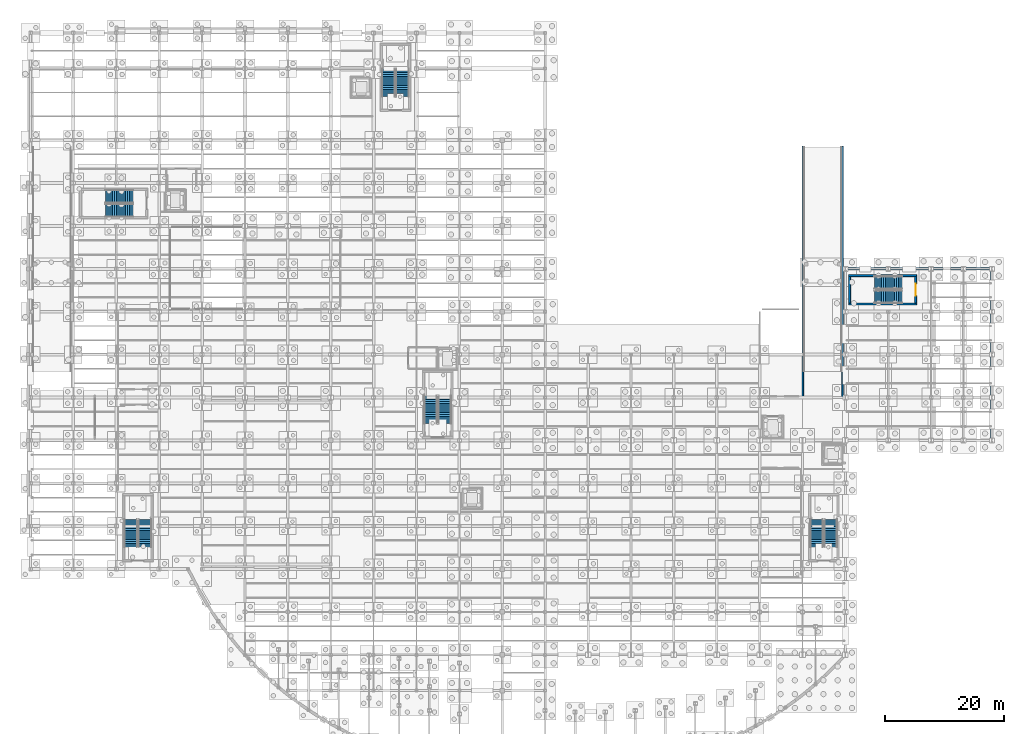
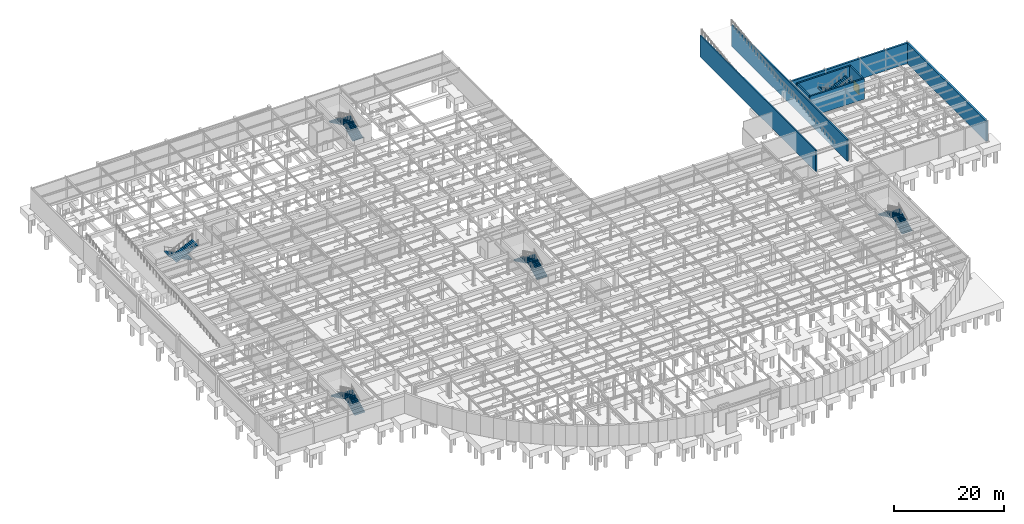
# One storey, part 51 of 64: 12 stair flights, 8 walls, 1 door, 1 opening, 6 elements without a shape of their own.
"""IFC4 building model written with IfcOpenShell, lengths in metres."""

from ifc_helpers import new_model, si_unit, direction, frame, frame_2d, origin, place, context, subcontext, project, spatial, polyline, rectangle, outline, extrude, material, layer, layer_set, type_object, element, fill, aggregate, save


model = new_model("IFC4")

# Units and contexts
model_context = context("Model", 3, precision=1e-05, world=origin(), true_north=direction((0.0, 1.0)))
body_context = subcontext(model_context, "Body", "Model", "MODEL_VIEW")
ifc_project = project(units=[si_unit("LENGTHUNIT", "METRE"), si_unit("AREAUNIT", "SQUARE_METRE"), si_unit("VOLUMEUNIT", "CUBIC_METRE"), si_unit("PLANEANGLEUNIT", "RADIAN"), si_unit("MASSUNIT", "GRAM", prefix="KILO")], contexts=[model_context])

# Site, building, storey
site_placement = place(None, origin())
site = spatial("IfcSite", under=ifc_project, at=site_placement, CompositionType="ELEMENT")
building_placement = place(site_placement, origin())
building = spatial("IfcBuilding", under=site, at=building_placement, Name="Solvadek Multi-Sports Hall", CompositionType="ELEMENT")
storey_placement = place(building_placement, frame((0.0, 0.0, -4.800048828125)))
storey = spatial("IfcBuildingStorey", under=building, at=storey_placement, Name="B1", CompositionType="ELEMENT", Elevation=-4.800048828125)

# Walls
ifc_material_1 = material(Name="Concrete M40", Category="concrete")
ifc_layer_1 = layer(ifc_material_1, 0.39990234375, Name="Concrete M40")
ifc_layer_set_1 = layer_set([ifc_layer_1], Name="Concrete M40")
wall_type_1 = type_object("IfcWallType", Name="ENV-WAL-RET400", PredefinedType="USERDEFINED", material=ifc_layer_set_1)
wall_1_placement = place(storey_placement, frame((161.39990234375, 42.0, 0.0), z_axis=(0.0, 0.0, 1.0), x_axis=(0.0, 1.0, 0.0)))
element("IfcWall", 1, at=wall_1_placement, inside=storey, type_object=wall_type_1, Name="B1 Basement Retaining Wall #64", ObjectType="RETAININGWALL", PredefinedType="USERDEFINED", context=body_context, shape_type="SweptSolid", body=[
    extrude(rectangle(XDim=28.800048828125, YDim=0.39990234375, at=frame_2d((14.39990234375, 0.0))), origin(), (0.0, 0.0, 1.0), 4.550048828125),
])
wall_2_placement = place(storey_placement, frame((161.39990234375, 70.800048828125, 0.0), z_axis=(0.0, 0.0, 1.0), x_axis=(-1.0, 0.0, 0.0)))
element("IfcWall", 2, at=wall_2_placement, inside=storey, type_object=wall_type_1, Name="B1 Basement Retaining Wall #65", ObjectType="RETAININGWALL", PredefinedType="USERDEFINED", context=body_context, shape_type="SweptSolid", body=[
    extrude(rectangle(XDim=24.599853515625, YDim=0.39990234375, at=frame_2d((12.2998046875, 0.0))), origin(), (0.0, 0.0, 1.0), 4.550048828125),
])
ifc_layer_2 = layer(ifc_material_1, 0.260009765625, Name="Concrete M40")
ifc_layer_set_2 = layer_set([ifc_layer_2], Name="Concrete M40")
wall_type_2 = type_object("IfcWallType", Name="INT-WAL-SHR260", PredefinedType="SHEAR", material=ifc_layer_set_2)
for number, where, z_axis, x_axis, name in (
    (3, (129.669921875, 49.199951171875, 0.0), (0.0, 0.0, 1.0), (0.0, 1.0, 0.0), "B1 VR-02 Ramp Side Shear Wall W"),
    (4, (136.330078125, 49.199951171875, 0.0), (0.0, 0.0, 1.0), (0.0, 1.0, 0.0), "B1 VR-02 Ramp Side Shear Wall E"),
):
    element("IfcWall", number, at=place(storey_placement, frame(where, z_axis=z_axis, x_axis=x_axis)), inside=storey, type_object=wall_type_2, Name=name, PredefinedType="SHEAR", context=body_context, shape_type="SweptSolid", body=[
        extrude(rectangle(XDim=42.150146484375, YDim=0.260009765625, at=frame_2d((21.0751953125, 0.0))), origin(), (0.0, 0.0, 1.0), 4.780029296875),
    ])
ifc_layer_3 = layer(ifc_material_1, 0.320068359375, Name="Concrete M40")
ifc_layer_set_3 = layer_set([ifc_layer_3], Name="Concrete M40")
wall_type_3 = type_object("IfcWallType", Name="INT-WAL-SHR320", PredefinedType="SHEAR", material=ifc_layer_set_3)
for number, where, z_axis, x_axis, name in (
    (5, (137.340087890625, 64.89990234375, 0.0), (0.0, 0.0, 1.0), (1.0, 0.0, 0.0), "B1 Stair ST-06 Shear Wall S"),
    (6, (137.340087890625, 69.64990234375, 0.0), (0.0, 0.0, 1.0), (1.0, 0.0, 0.0), "B1 Stair ST-06 Shear Wall N"),
):
    element("IfcWall", number, at=place(storey_placement, frame(where, z_axis=z_axis, x_axis=x_axis)), inside=storey, type_object=wall_type_3, Name=name, PredefinedType="SHEAR", context=body_context, shape_type="SweptSolid", body=[
        extrude(rectangle(XDim=11.419921875, YDim=0.320068359375, at=frame_2d((5.7099609375, 0.0))), origin(), (0.0, 0.0, 1.0), 4.550048828125),
    ])
wall_3_placement = place(storey_placement, frame((137.5, 65.06005859375, 0.0), z_axis=(0.0, 0.0, 1.0), x_axis=(0.0, 1.0, 0.0)))
element("IfcWall", 7, at=wall_3_placement, inside=storey, type_object=wall_type_3, Name="B1 Stair ST-06 Shear Wall W", PredefinedType="SHEAR", context=body_context, shape_type="SweptSolid", body=[
    extrude(rectangle(XDim=4.429931640625, YDim=0.320068359375, at=frame_2d((2.21484375, 0.0))), origin(), (0.0, 0.0, 1.0), 4.550048828125),
])

# Wall, opening, door
wall_4_placement = place(storey_placement, frame((148.60009765625, 65.06005859375, 0.0), z_axis=(0.0, 0.0, 1.0), x_axis=(0.0, 1.0, 0.0)))
wall_4 = element("IfcWall", 8, at=wall_4_placement, inside=storey, type_object=wall_type_3, Name="B1 Stair ST-06 Shear Wall E", PredefinedType="SHEAR", context=body_context, shape_type="SweptSolid", body=[
    extrude(rectangle(XDim=4.429931640625, YDim=0.320068359375, at=frame_2d((2.21484375, 0.0))), origin(), (0.0, 0.0, 1.0), 4.550048828125),
])
opening_placement = place(wall_4_placement, frame((1.215087890625, 0.0, 0.0)))
opening = element("IfcOpeningElement", 9, at=opening_placement, cuts=wall_4, Name="Opening FD120", PredefinedType="OPENING", context=body_context, shape_type="SweptSolid", body=[
    extrude(rectangle(XDim=2.0, YDim=2.14990234375, at=frame_2d((1.0, 1.074951171875))), frame((0.0, 0.169921875, 0.0), z_axis=(0.0, -1.0, 0.0), x_axis=(1.0, 0.0, 0.0)), (0.0, 0.0, 1.0), 0.340087890625),
])
ifc_material_2 = material(Name="Steel E250 (250 MPa)", Category="steel")
door_type = type_object("IfcDoorType", Name="INT-DOR-FD200X215", OperationType="DOUBLE_DOOR_SINGLE_SWING", PredefinedType="DOOR", material=ifc_material_2)
door_placement = place(opening_placement, origin())
door = element("IfcDoor", 10, at=door_placement, inside=storey, type_object=door_type, Name="B1 Stair ST-06 Fire Door", OperationType="DOUBLE_DOOR_SINGLE_SWING", OverallHeight=2.14990234375, OverallWidth=2.0, PredefinedType="DOOR", context=body_context, shape_type="SweptSolid", body=[
    extrude(rectangle(XDim=2.0, YDim=2.14990234375, at=frame_2d((1.0, 1.074951171875))), frame((0.0, 0.02490234375, 0.0), z_axis=(0.0, -1.0, 0.0), x_axis=(1.0, 0.0, 0.0)), (0.0, 0.0, 1.0), 0.050048828125),
])
fill(opening, door)

# Stair, stair flights
ifc_material_3 = material(Name="Concrete M35", Category="concrete")
stair_type = type_object("IfcStairType", Name="INT-STR-DOG220", PredefinedType="USERDEFINED", material=ifc_material_3)
stair_1_placement = place(storey_placement, origin())
stair_1 = element("IfcStair", 11, at=stair_1_placement, inside=storey, type_object=stair_type, Name="B1 Exit Stair Core ST-01 (SW Crescent)", ObjectType="TWO_RUN_STAIR", PredefinedType="USERDEFINED")
stair_flight_type = type_object("IfcStairFlightType", Name="INT-FLT-RC220", PredefinedType="STRAIGHT", material=ifc_material_3)
stair_flight_1_placement = place(storey_placement, frame((19.199951171875, 24.10009765625, 0.0), z_axis=(0.0, 0.0, 1.0), x_axis=(0.0, 1.0, 0.0)))
stair_flight_1 = element("IfcStairFlight", 12, at=stair_flight_1_placement, type_object=stair_flight_type, Name="ST-01 flight 1", NumberOfRisers=16, NumberOfTreads=15, PredefinedType="STRAIGHT", RiserHeight=0.15, TreadLength=0.31, context=body_context, shape_type="SweptSolid", body=[
    extrude(outline(polyline([(0.0, 0.0), (0.0, 0.14990234375), (0.31005859375, 0.14990234375), (0.31005859375, 0.300048828125), (0.6201171875, 0.300048828125), (0.6201171875, 0.449951171875), (0.929931640625, 0.449951171875), (0.929931640625, 0.60009765625), (1.239990234375, 0.60009765625), (1.239990234375, 0.75), (1.550048828125, 0.75), (1.550048828125, 0.89990234375), (1.860107421875, 0.89990234375), (1.860107421875, 1.050048828125), (2.169921875, 1.050048828125), (2.169921875, 1.199951171875), (2.47998046875, 1.199951171875), (2.47998046875, 1.35009765625), (2.7900390625, 1.35009765625), (2.7900390625, 1.5), (3.10009765625, 1.5), (3.10009765625, 1.64990234375), (3.409912109375, 1.64990234375), (3.409912109375, 1.800048828125), (3.719970703125, 1.800048828125), (3.719970703125, 1.949951171875), (4.030029296875, 1.949951171875), (4.030029296875, 2.10009765625), (4.340087890625, 2.10009765625), (4.340087890625, 2.25), (4.64990234375, 2.25), (4.64990234375, 2.39990234375), (4.64990234375, 2.08349609375), (0.34423828125, 0.0), (0.0, 0.0)])), frame((0.0, 1.10009765625, 0.0), z_axis=(0.0, -1.0, 0.0), x_axis=(1.0, 0.0, 0.0)), (0.0, 0.0, 1.0), 2.199951171875),
])
stair_flight_2_placement = place(storey_placement, frame((16.85009765625, 28.75, 2.400146484375), z_axis=(0.0, 0.0, 1.0), x_axis=(0.0, -1.0, 0.0)))
stair_flight_2 = element("IfcStairFlight", 13, at=stair_flight_2_placement, type_object=stair_flight_type, Name="ST-01 flight 2", NumberOfRisers=16, NumberOfTreads=15, PredefinedType="STRAIGHT", RiserHeight=0.15, TreadLength=0.31, context=body_context, shape_type="SweptSolid", body=[
    extrude(outline(polyline([(0.0, 0.0), (0.0, 0.14990234375), (0.31005859375, 0.14990234375), (0.31005859375, 0.300048828125), (0.6201171875, 0.300048828125), (0.6201171875, 0.449951171875), (0.929931640625, 0.449951171875), (0.929931640625, 0.60009765625), (1.239990234375, 0.60009765625), (1.239990234375, 0.75), (1.550048828125, 0.75), (1.550048828125, 0.89990234375), (1.860107421875, 0.89990234375), (1.860107421875, 1.050048828125), (2.169921875, 1.050048828125), (2.169921875, 1.199951171875), (2.47998046875, 1.199951171875), (2.47998046875, 1.35009765625), (2.7900390625, 1.35009765625), (2.7900390625, 1.5), (3.10009765625, 1.5), (3.10009765625, 1.64990234375), (3.409912109375, 1.64990234375), (3.409912109375, 1.800048828125), (3.719970703125, 1.800048828125), (3.719970703125, 1.949951171875), (4.030029296875, 1.949951171875), (4.030029296875, 2.10009765625), (4.340087890625, 2.10009765625), (4.340087890625, 2.25), (4.64990234375, 2.25), (4.64990234375, 2.39990234375), (4.64990234375, 2.08349609375), (0.34423828125, 0.0), (0.0, 0.0)])), frame((0.0, 1.10009765625, 0.0), z_axis=(0.0, -1.0, 0.0), x_axis=(1.0, 0.0, 0.0)), (0.0, 0.0, 1.0), 2.199951171875),
])
aggregate(stair_1, [stair_flight_1, stair_flight_2])

stair_2_placement = place(storey_placement, origin())
stair_2 = element("IfcStair", 14, at=stair_2_placement, inside=storey, type_object=stair_type, Name="B1 Exit Stair Core ST-02 (NW Track Headhouse)", ObjectType="TWO_RUN_STAIR", PredefinedType="USERDEFINED")
stair_flight_3_placement = place(storey_placement, frame((17.199951171875, 82.949951171875, 0.0), z_axis=(0.0, 0.0, 1.0), x_axis=(-1.0, 0.0, 0.0)))
stair_flight_3 = element("IfcStairFlight", 15, at=stair_flight_3_placement, type_object=stair_flight_type, Name="ST-02 flight 1", NumberOfRisers=16, NumberOfTreads=15, PredefinedType="STRAIGHT", RiserHeight=0.15, TreadLength=0.31, context=body_context, shape_type="SweptSolid", body=[
    extrude(outline(polyline([(0.0, 0.0), (0.0, 0.14990234375), (0.31005859375, 0.14990234375), (0.31005859375, 0.300048828125), (0.6201171875, 0.300048828125), (0.6201171875, 0.449951171875), (0.929931640625, 0.449951171875), (0.929931640625, 0.60009765625), (1.239990234375, 0.60009765625), (1.239990234375, 0.75), (1.550048828125, 0.75), (1.550048828125, 0.89990234375), (1.860107421875, 0.89990234375), (1.860107421875, 1.050048828125), (2.169921875, 1.050048828125), (2.169921875, 1.199951171875), (2.47998046875, 1.199951171875), (2.47998046875, 1.35009765625), (2.7900390625, 1.35009765625), (2.7900390625, 1.5), (3.10009765625, 1.5), (3.10009765625, 1.64990234375), (3.409912109375, 1.64990234375), (3.409912109375, 1.800048828125), (3.719970703125, 1.800048828125), (3.719970703125, 1.949951171875), (4.030029296875, 1.949951171875), (4.030029296875, 2.10009765625), (4.340087890625, 2.10009765625), (4.340087890625, 2.25), (4.64990234375, 2.25), (4.64990234375, 2.39990234375), (4.64990234375, 2.08349609375), (0.34423828125, 0.0), (0.0, 0.0)])), frame((0.0, 1.10009765625, 0.0), z_axis=(0.0, -1.0, 0.0), x_axis=(1.0, 0.0, 0.0)), (0.0, 0.0, 1.0), 2.199951171875),
])
stair_flight_4_placement = place(storey_placement, frame((12.550048828125, 80.60009765625, 2.400146484375), z_axis=(0.0, 0.0, 1.0), x_axis=(1.0, 0.0, 0.0)))
stair_flight_4 = element("IfcStairFlight", 16, at=stair_flight_4_placement, type_object=stair_flight_type, Name="ST-02 flight 2", NumberOfRisers=16, NumberOfTreads=15, PredefinedType="STRAIGHT", RiserHeight=0.15, TreadLength=0.31, context=body_context, shape_type="SweptSolid", body=[
    extrude(outline(polyline([(0.0, 0.0), (0.0, 0.14990234375), (0.31005859375, 0.14990234375), (0.31005859375, 0.300048828125), (0.6201171875, 0.300048828125), (0.6201171875, 0.449951171875), (0.929931640625, 0.449951171875), (0.929931640625, 0.60009765625), (1.239990234375, 0.60009765625), (1.239990234375, 0.75), (1.550048828125, 0.75), (1.550048828125, 0.89990234375), (1.860107421875, 0.89990234375), (1.860107421875, 1.050048828125), (2.169921875, 1.050048828125), (2.169921875, 1.199951171875), (2.47998046875, 1.199951171875), (2.47998046875, 1.35009765625), (2.7900390625, 1.35009765625), (2.7900390625, 1.5), (3.10009765625, 1.5), (3.10009765625, 1.64990234375), (3.409912109375, 1.64990234375), (3.409912109375, 1.800048828125), (3.719970703125, 1.800048828125), (3.719970703125, 1.949951171875), (4.030029296875, 1.949951171875), (4.030029296875, 2.10009765625), (4.340087890625, 2.10009765625), (4.340087890625, 2.25), (4.64990234375, 2.25), (4.64990234375, 2.39990234375), (4.64990234375, 2.08349609375), (0.34423828125, 0.0), (0.0, 0.0)])), frame((0.0, 1.10009765625, 0.0), z_axis=(0.0, -1.0, 0.0), x_axis=(1.0, 0.0, 0.0)), (0.0, 0.0, 1.0), 2.199951171875),
])
aggregate(stair_2, [stair_flight_3, stair_flight_4])

stair_3_placement = place(storey_placement, origin())
stair_3 = element("IfcStair", 17, at=stair_3_placement, inside=storey, type_object=stair_type, Name="B1 Exit Stair Core ST-03 (North Avenue Podium)", ObjectType="TWO_RUN_STAIR", PredefinedType="USERDEFINED")
stair_flight_5_placement = place(storey_placement, frame((62.449951171875, 99.699951171875, 0.0), z_axis=(0.0, 0.0, 1.0), x_axis=(0.0, 1.0, 0.0)))
stair_flight_5 = element("IfcStairFlight", 18, at=stair_flight_5_placement, type_object=stair_flight_type, Name="ST-03 flight 1", NumberOfRisers=16, NumberOfTreads=15, PredefinedType="STRAIGHT", RiserHeight=0.15, TreadLength=0.31, context=body_context, shape_type="SweptSolid", body=[
    extrude(outline(polyline([(0.0, 0.0), (0.0, 0.14990234375), (0.31005859375, 0.14990234375), (0.31005859375, 0.300048828125), (0.6201171875, 0.300048828125), (0.6201171875, 0.449951171875), (0.929931640625, 0.449951171875), (0.929931640625, 0.60009765625), (1.239990234375, 0.60009765625), (1.239990234375, 0.75), (1.550048828125, 0.75), (1.550048828125, 0.89990234375), (1.860107421875, 0.89990234375), (1.860107421875, 1.050048828125), (2.169921875, 1.050048828125), (2.169921875, 1.199951171875), (2.47998046875, 1.199951171875), (2.47998046875, 1.35009765625), (2.7900390625, 1.35009765625), (2.7900390625, 1.5), (3.10009765625, 1.5), (3.10009765625, 1.64990234375), (3.409912109375, 1.64990234375), (3.409912109375, 1.800048828125), (3.719970703125, 1.800048828125), (3.719970703125, 1.949951171875), (4.030029296875, 1.949951171875), (4.030029296875, 2.10009765625), (4.340087890625, 2.10009765625), (4.340087890625, 2.25), (4.64990234375, 2.25), (4.64990234375, 2.39990234375), (4.64990234375, 2.08349609375), (0.34423828125, 0.0), (0.0, 0.0)])), frame((0.0, 1.10009765625, 0.0), z_axis=(0.0, -1.0, 0.0), x_axis=(1.0, 0.0, 0.0)), (0.0, 0.0, 1.0), 2.199951171875),
])
stair_flight_6_placement = place(storey_placement, frame((60.10009765625, 104.35009765625, 2.400146484375), z_axis=(0.0, 0.0, 1.0), x_axis=(0.0, -1.0, 0.0)))
stair_flight_6 = element("IfcStairFlight", 19, at=stair_flight_6_placement, type_object=stair_flight_type, Name="ST-03 flight 2", NumberOfRisers=16, NumberOfTreads=15, PredefinedType="STRAIGHT", RiserHeight=0.15, TreadLength=0.31, context=body_context, shape_type="SweptSolid", body=[
    extrude(outline(polyline([(0.0, 0.0), (0.0, 0.14990234375), (0.31005859375, 0.14990234375), (0.31005859375, 0.300048828125), (0.6201171875, 0.300048828125), (0.6201171875, 0.449951171875), (0.929931640625, 0.449951171875), (0.929931640625, 0.60009765625), (1.239990234375, 0.60009765625), (1.239990234375, 0.75), (1.550048828125, 0.75), (1.550048828125, 0.89990234375), (1.860107421875, 0.89990234375), (1.860107421875, 1.050048828125), (2.169921875, 1.050048828125), (2.169921875, 1.199951171875), (2.47998046875, 1.199951171875), (2.47998046875, 1.35009765625), (2.7900390625, 1.35009765625), (2.7900390625, 1.5), (3.10009765625, 1.5), (3.10009765625, 1.64990234375), (3.409912109375, 1.64990234375), (3.409912109375, 1.800048828125), (3.719970703125, 1.800048828125), (3.719970703125, 1.949951171875), (4.030029296875, 1.949951171875), (4.030029296875, 2.10009765625), (4.340087890625, 2.10009765625), (4.340087890625, 2.25), (4.64990234375, 2.25), (4.64990234375, 2.39990234375), (4.64990234375, 2.08349609375), (0.34423828125, 0.0), (0.0, 0.0)])), frame((0.0, 1.10009765625, 0.0), z_axis=(0.0, -1.0, 0.0), x_axis=(1.0, 0.0, 0.0)), (0.0, 0.0, 1.0), 2.199951171875),
])
aggregate(stair_3, [stair_flight_5, stair_flight_6])

stair_4_placement = place(storey_placement, origin())
stair_4 = element("IfcStair", 20, at=stair_4_placement, inside=storey, type_object=stair_type, Name="B1 Exit Stair Core ST-04 (Central Passage West)", ObjectType="TWO_RUN_STAIR", PredefinedType="USERDEFINED")
stair_flight_7_placement = place(storey_placement, frame((69.550048828125, 44.800048828125, 0.0), z_axis=(0.0, 0.0, 1.0), x_axis=(0.0, 1.0, 0.0)))
stair_flight_7 = element("IfcStairFlight", 21, at=stair_flight_7_placement, type_object=stair_flight_type, Name="ST-04 flight 1", NumberOfRisers=16, NumberOfTreads=15, PredefinedType="STRAIGHT", RiserHeight=0.15, TreadLength=0.31, context=body_context, shape_type="SweptSolid", body=[
    extrude(outline(polyline([(0.0, 0.0), (0.0, 0.14990234375), (0.31005859375, 0.14990234375), (0.31005859375, 0.300048828125), (0.6201171875, 0.300048828125), (0.6201171875, 0.449951171875), (0.929931640625, 0.449951171875), (0.929931640625, 0.60009765625), (1.239990234375, 0.60009765625), (1.239990234375, 0.75), (1.550048828125, 0.75), (1.550048828125, 0.89990234375), (1.860107421875, 0.89990234375), (1.860107421875, 1.050048828125), (2.169921875, 1.050048828125), (2.169921875, 1.199951171875), (2.47998046875, 1.199951171875), (2.47998046875, 1.35009765625), (2.7900390625, 1.35009765625), (2.7900390625, 1.5), (3.10009765625, 1.5), (3.10009765625, 1.64990234375), (3.409912109375, 1.64990234375), (3.409912109375, 1.800048828125), (3.719970703125, 1.800048828125), (3.719970703125, 1.949951171875), (4.030029296875, 1.949951171875), (4.030029296875, 2.10009765625), (4.340087890625, 2.10009765625), (4.340087890625, 2.25), (4.64990234375, 2.25), (4.64990234375, 2.39990234375), (4.64990234375, 2.08349609375), (0.34423828125, 0.0), (0.0, 0.0)])), frame((0.0, 1.10009765625, 0.0), z_axis=(0.0, -1.0, 0.0), x_axis=(1.0, 0.0, 0.0)), (0.0, 0.0, 1.0), 2.199951171875),
])
stair_flight_8_placement = place(storey_placement, frame((67.199951171875, 49.449951171875, 2.400146484375), z_axis=(0.0, 0.0, 1.0), x_axis=(0.0, -1.0, 0.0)))
stair_flight_8 = element("IfcStairFlight", 22, at=stair_flight_8_placement, type_object=stair_flight_type, Name="ST-04 flight 2", NumberOfRisers=16, NumberOfTreads=15, PredefinedType="STRAIGHT", RiserHeight=0.15, TreadLength=0.31, context=body_context, shape_type="SweptSolid", body=[
    extrude(outline(polyline([(0.0, 0.0), (0.0, 0.14990234375), (0.31005859375, 0.14990234375), (0.31005859375, 0.300048828125), (0.6201171875, 0.300048828125), (0.6201171875, 0.449951171875), (0.929931640625, 0.449951171875), (0.929931640625, 0.60009765625), (1.239990234375, 0.60009765625), (1.239990234375, 0.75), (1.550048828125, 0.75), (1.550048828125, 0.89990234375), (1.860107421875, 0.89990234375), (1.860107421875, 1.050048828125), (2.169921875, 1.050048828125), (2.169921875, 1.199951171875), (2.47998046875, 1.199951171875), (2.47998046875, 1.35009765625), (2.7900390625, 1.35009765625), (2.7900390625, 1.5), (3.10009765625, 1.5), (3.10009765625, 1.64990234375), (3.409912109375, 1.64990234375), (3.409912109375, 1.800048828125), (3.719970703125, 1.800048828125), (3.719970703125, 1.949951171875), (4.030029296875, 1.949951171875), (4.030029296875, 2.10009765625), (4.340087890625, 2.10009765625), (4.340087890625, 2.25), (4.64990234375, 2.25), (4.64990234375, 2.39990234375), (4.64990234375, 2.08349609375), (0.34423828125, 0.0), (0.0, 0.0)])), frame((0.0, 1.10009765625, 0.0), z_axis=(0.0, -1.0, 0.0), x_axis=(1.0, 0.0, 0.0)), (0.0, 0.0, 1.0), 2.199951171875),
])
aggregate(stair_4, [stair_flight_7, stair_flight_8])

stair_5_placement = place(storey_placement, origin())
stair_5 = element("IfcStair", 23, at=stair_5_placement, inside=storey, type_object=stair_type, Name="B1 Exit Stair Core ST-05 (SE Competition Hall)", ObjectType="TWO_RUN_STAIR", PredefinedType="USERDEFINED")
stair_flight_9_placement = place(storey_placement, frame((134.35009765625, 24.10009765625, 0.0), z_axis=(0.0, 0.0, 1.0), x_axis=(0.0, 1.0, 0.0)))
stair_flight_9 = element("IfcStairFlight", 24, at=stair_flight_9_placement, type_object=stair_flight_type, Name="ST-05 flight 1", NumberOfRisers=16, NumberOfTreads=15, PredefinedType="STRAIGHT", RiserHeight=0.15, TreadLength=0.31, context=body_context, shape_type="SweptSolid", body=[
    extrude(outline(polyline([(0.0, 0.0), (0.0, 0.14990234375), (0.31005859375, 0.14990234375), (0.31005859375, 0.300048828125), (0.6201171875, 0.300048828125), (0.6201171875, 0.449951171875), (0.929931640625, 0.449951171875), (0.929931640625, 0.60009765625), (1.239990234375, 0.60009765625), (1.239990234375, 0.75), (1.550048828125, 0.75), (1.550048828125, 0.89990234375), (1.860107421875, 0.89990234375), (1.860107421875, 1.050048828125), (2.169921875, 1.050048828125), (2.169921875, 1.199951171875), (2.47998046875, 1.199951171875), (2.47998046875, 1.35009765625), (2.7900390625, 1.35009765625), (2.7900390625, 1.5), (3.10009765625, 1.5), (3.10009765625, 1.64990234375), (3.409912109375, 1.64990234375), (3.409912109375, 1.800048828125), (3.719970703125, 1.800048828125), (3.719970703125, 1.949951171875), (4.030029296875, 1.949951171875), (4.030029296875, 2.10009765625), (4.340087890625, 2.10009765625), (4.340087890625, 2.25), (4.64990234375, 2.25), (4.64990234375, 2.39990234375), (4.64990234375, 2.08349609375), (0.34423828125, 0.0), (0.0, 0.0)])), frame((0.0, 1.10009765625, 0.0), z_axis=(0.0, -1.0, 0.0), x_axis=(1.0, 0.0, 0.0)), (0.0, 0.0, 1.0), 2.199951171875),
])
stair_flight_10_placement = place(storey_placement, frame((132.0, 28.75, 2.400146484375), z_axis=(0.0, 0.0, 1.0), x_axis=(0.0, -1.0, 0.0)))
stair_flight_10 = element("IfcStairFlight", 25, at=stair_flight_10_placement, type_object=stair_flight_type, Name="ST-05 flight 2", NumberOfRisers=16, NumberOfTreads=15, PredefinedType="STRAIGHT", RiserHeight=0.15, TreadLength=0.31, context=body_context, shape_type="SweptSolid", body=[
    extrude(outline(polyline([(0.0, 0.0), (0.0, 0.14990234375), (0.31005859375, 0.14990234375), (0.31005859375, 0.300048828125), (0.6201171875, 0.300048828125), (0.6201171875, 0.449951171875), (0.929931640625, 0.449951171875), (0.929931640625, 0.60009765625), (1.239990234375, 0.60009765625), (1.239990234375, 0.75), (1.550048828125, 0.75), (1.550048828125, 0.89990234375), (1.860107421875, 0.89990234375), (1.860107421875, 1.050048828125), (2.169921875, 1.050048828125), (2.169921875, 1.199951171875), (2.47998046875, 1.199951171875), (2.47998046875, 1.35009765625), (2.7900390625, 1.35009765625), (2.7900390625, 1.5), (3.10009765625, 1.5), (3.10009765625, 1.64990234375), (3.409912109375, 1.64990234375), (3.409912109375, 1.800048828125), (3.719970703125, 1.800048828125), (3.719970703125, 1.949951171875), (4.030029296875, 1.949951171875), (4.030029296875, 2.10009765625), (4.340087890625, 2.10009765625), (4.340087890625, 2.25), (4.64990234375, 2.25), (4.64990234375, 2.39990234375), (4.64990234375, 2.08349609375), (0.34423828125, 0.0), (0.0, 0.0)])), frame((0.0, 1.10009765625, 0.0), z_axis=(0.0, -1.0, 0.0), x_axis=(1.0, 0.0, 0.0)), (0.0, 0.0, 1.0), 2.199951171875),
])
aggregate(stair_5, [stair_flight_9, stair_flight_10])

stair_6_placement = place(storey_placement, origin())
stair_6 = element("IfcStair", 26, at=stair_6_placement, inside=storey, type_object=stair_type, Name="B1 Exit Stair Core ST-06 (NE Climbing Pavilion)", ObjectType="TWO_RUN_STAIR", PredefinedType="USERDEFINED")
stair_flight_11_placement = place(storey_placement, frame((146.300048828125, 68.449951171875, 0.0), z_axis=(0.0, 0.0, 1.0), x_axis=(-1.0, 0.0, 0.0)))
stair_flight_11 = element("IfcStairFlight", 27, at=stair_flight_11_placement, type_object=stair_flight_type, Name="ST-06 flight 1", NumberOfRisers=16, NumberOfTreads=15, PredefinedType="STRAIGHT", RiserHeight=0.15, TreadLength=0.31, context=body_context, shape_type="SweptSolid", body=[
    extrude(outline(polyline([(0.0, 0.0), (0.0, 0.14990234375), (0.31005859375, 0.14990234375), (0.31005859375, 0.300048828125), (0.6201171875, 0.300048828125), (0.6201171875, 0.449951171875), (0.929931640625, 0.449951171875), (0.929931640625, 0.60009765625), (1.239990234375, 0.60009765625), (1.239990234375, 0.75), (1.550048828125, 0.75), (1.550048828125, 0.89990234375), (1.860107421875, 0.89990234375), (1.860107421875, 1.050048828125), (2.169921875, 1.050048828125), (2.169921875, 1.199951171875), (2.47998046875, 1.199951171875), (2.47998046875, 1.35009765625), (2.7900390625, 1.35009765625), (2.7900390625, 1.5), (3.10009765625, 1.5), (3.10009765625, 1.64990234375), (3.409912109375, 1.64990234375), (3.409912109375, 1.800048828125), (3.719970703125, 1.800048828125), (3.719970703125, 1.949951171875), (4.030029296875, 1.949951171875), (4.030029296875, 2.10009765625), (4.340087890625, 2.10009765625), (4.340087890625, 2.25), (4.64990234375, 2.25), (4.64990234375, 2.39990234375), (4.64990234375, 2.08349609375), (0.34423828125, 0.0), (0.0, 0.0)])), frame((0.0, 1.10009765625, 0.0), z_axis=(0.0, -1.0, 0.0), x_axis=(1.0, 0.0, 0.0)), (0.0, 0.0, 1.0), 2.199951171875),
])
stair_flight_12_placement = place(storey_placement, frame((141.64990234375, 66.10009765625, 2.400146484375), z_axis=(0.0, 0.0, 1.0), x_axis=(1.0, 0.0, 0.0)))
stair_flight_12 = element("IfcStairFlight", 28, at=stair_flight_12_placement, type_object=stair_flight_type, Name="ST-06 flight 2", NumberOfRisers=16, NumberOfTreads=15, PredefinedType="STRAIGHT", RiserHeight=0.15, TreadLength=0.31, context=body_context, shape_type="SweptSolid", body=[
    extrude(outline(polyline([(0.0, 0.0), (0.0, 0.14990234375), (0.31005859375, 0.14990234375), (0.31005859375, 0.300048828125), (0.6201171875, 0.300048828125), (0.6201171875, 0.449951171875), (0.929931640625, 0.449951171875), (0.929931640625, 0.60009765625), (1.239990234375, 0.60009765625), (1.239990234375, 0.75), (1.550048828125, 0.75), (1.550048828125, 0.89990234375), (1.860107421875, 0.89990234375), (1.860107421875, 1.050048828125), (2.169921875, 1.050048828125), (2.169921875, 1.199951171875), (2.47998046875, 1.199951171875), (2.47998046875, 1.35009765625), (2.7900390625, 1.35009765625), (2.7900390625, 1.5), (3.10009765625, 1.5), (3.10009765625, 1.64990234375), (3.409912109375, 1.64990234375), (3.409912109375, 1.800048828125), (3.719970703125, 1.800048828125), (3.719970703125, 1.949951171875), (4.030029296875, 1.949951171875), (4.030029296875, 2.10009765625), (4.340087890625, 2.10009765625), (4.340087890625, 2.25), (4.64990234375, 2.25), (4.64990234375, 2.39990234375), (4.64990234375, 2.08349609375), (0.34423828125, 0.0), (0.0, 0.0)])), frame((0.0, 1.10009765625, 0.0), z_axis=(0.0, -1.0, 0.0), x_axis=(1.0, 0.0, 0.0)), (0.0, 0.0, 1.0), 2.199951171875),
])
aggregate(stair_6, [stair_flight_11, stair_flight_12])

save(model, "model.ifc")
